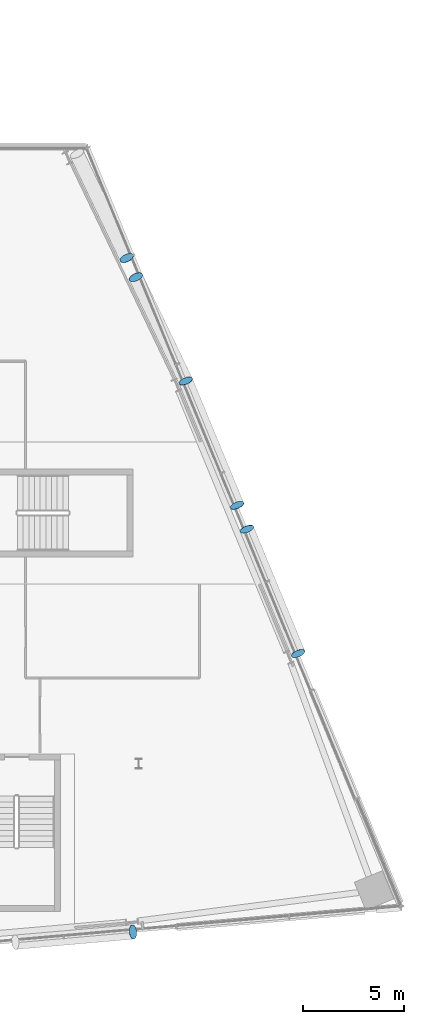
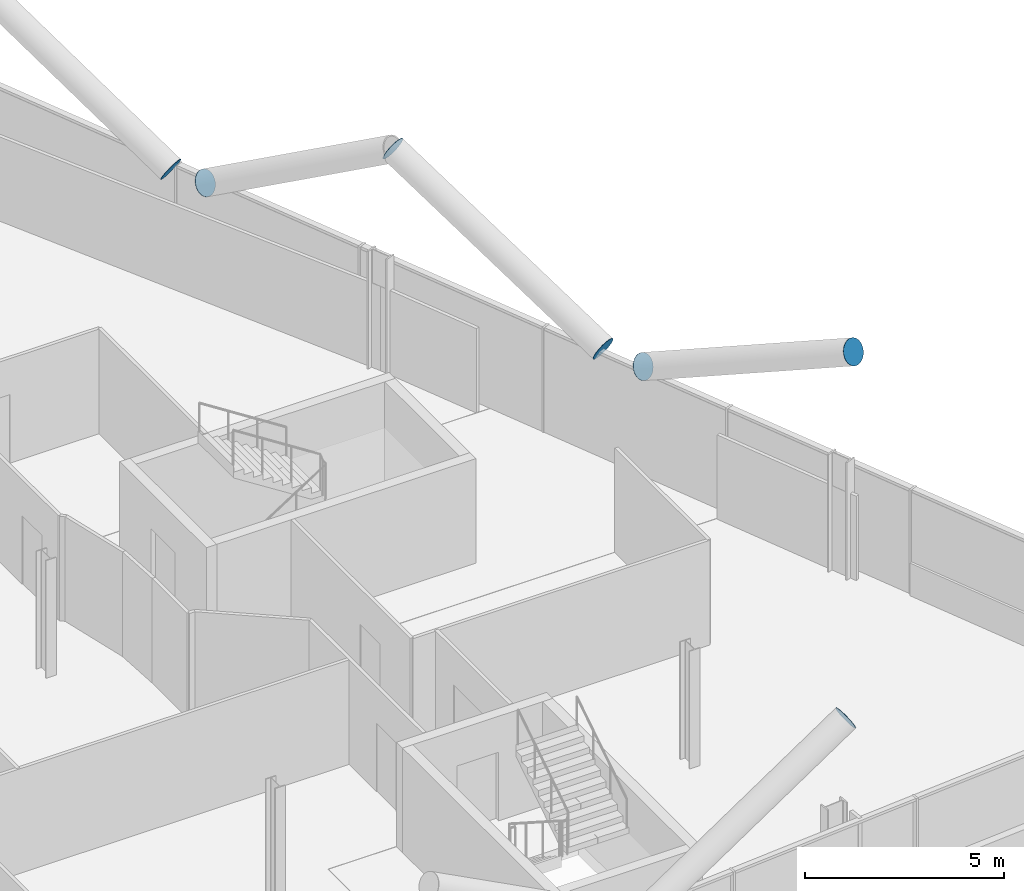
# One storey, part 23 of 26: 7 discrete accessories.
"""IFC4 building model written with IfcOpenShell, lengths in metres."""

from ifc_helpers import new_model, si_unit, direction, frame, origin, origin_2d, place, context, subcontext, project, spatial, circle, extrude, material, material_profile, profile_set, type_object, element, save


model = new_model("IFC4")

# Units and contexts
model_context = context("Model", 3, precision=1e-05, world=origin(), true_north=direction((0.0, 1.0)))
body_context = subcontext(model_context, "Body", "Model", "MODEL_VIEW")
ifc_project = project(units=[si_unit("LENGTHUNIT", "METRE"), si_unit("AREAUNIT", "SQUARE_METRE"), si_unit("VOLUMEUNIT", "CUBIC_METRE"), si_unit("PLANEANGLEUNIT", "RADIAN"), si_unit("MASSUNIT", "GRAM", prefix="KILO")], contexts=[model_context])

# Site, building, storey
site_placement = place(None, origin())
site = spatial("IfcSite", under=ifc_project, at=site_placement, CompositionType="ELEMENT")
building_placement = place(site_placement, origin())
building = spatial("IfcBuilding", under=site, at=building_placement, Name="Wharfspan Tower", CompositionType="ELEMENT")
storey_placement = place(building_placement, frame((0.0, 0.0, 166.300049)))
storey = spatial("IfcBuildingStorey", under=building, at=storey_placement, Name="L40", CompositionType="ELEMENT", Elevation=166.300049)

# Discrete accessories
ifc_material = material(Name="Steel S460NH", Category="steel")
ifc_material_profile = material_profile(ifc_material, circle(Radius=0.355469, at=origin_2d()))
ifc_profile_set = profile_set([ifc_material_profile], Name="Steel S460NH")
discrete_accessory_type = type_object("IfcDiscreteAccessoryType", Name="End plate CHS 711x36", PredefinedType="BRACKET", material=ifc_profile_set)
discrete_accessory_placement = place(storey_placement, frame((71.706055, 3.181641, 6.5), z_axis=(0.865849, 0.074216, 0.494771), x_axis=(-0.085402, 0.996345, 1e-06)))
element("IfcDiscreteAccessory", 1, at=discrete_accessory_placement, inside=storey, type_object=discrete_accessory_type, Name="End plate CHS 711x36", PredefinedType="BRACKET", context=body_context, shape_type="SweptSolid", body=[
    extrude(circle(Radius=0.355469, at=origin_2d()), origin(), (0.0, 0.0, 1.0), 0.009766),
])
for number, where, z_axis, x_axis, name in (
    (2, (76.857666, 24.266846, 3.212158), (-0.341972, 0.830504, 0.439679), (-0.924678, -0.380749, -1e-06), "End plate CHS 711x36"),
    (3, (74.320557, 30.411865, 6.5), (-0.341972, 0.830504, 0.439679), (-0.924678, -0.380749, -1e-06), "End plate CHS 711x36"),
    (4, (77.3396, 23.099609, 3.212158), (0.341972, -0.830504, 0.439679), (0.924678, 0.380749, -1e-06), "End plate CHS 711x36"),
    (5, (79.876465, 16.954346, 6.5), (0.341972, -0.830504, 0.439679), (0.924678, 0.380749, -1e-06), "End plate CHS 711x36"),
    (6, (71.404785, 36.496582, 3.200684), (-0.364878, 0.778407, 0.510829), (-0.905462, -0.424435, 0.0), "End plate CHS 711x36"),
    (7, (71.854492, 35.55835, 3.200684), (0.364878, -0.778407, 0.510829), (0.905462, 0.424435, 0.0), "End plate CHS 711x36"),
):
    element("IfcDiscreteAccessory", number, at=place(storey_placement, frame(where, z_axis=z_axis, x_axis=x_axis)), inside=storey, type_object=discrete_accessory_type, Name=name, PredefinedType="BRACKET", context=body_context, shape_type="SweptSolid", body=[
        extrude(circle(Radius=0.355469, at=origin_2d()), origin(), (0.0, 0.0, 1.0), 0.01001),
    ])

save(model, "model.ifc")
